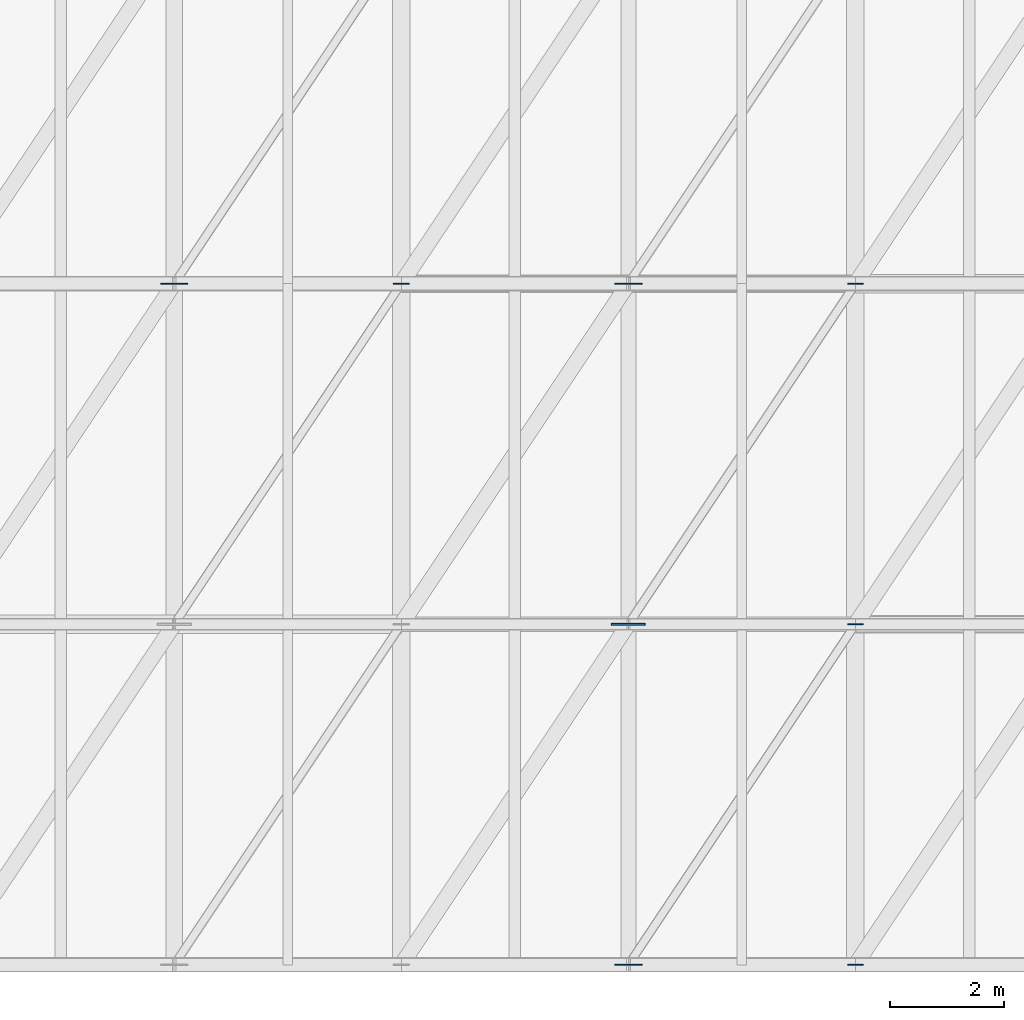
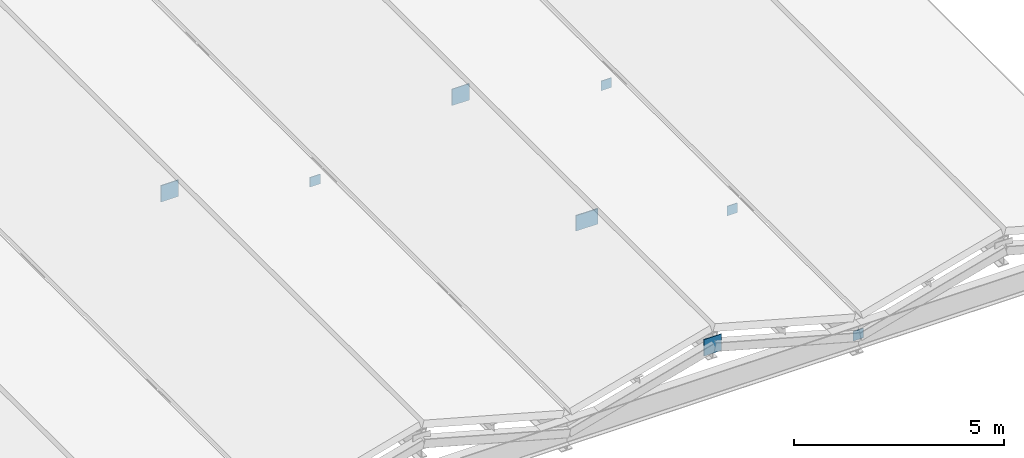
# One storey, part 20 of 27: 8 plates.
"""IFC4 building model written with IfcOpenShell, lengths in metres."""

from ifc_helpers import new_model, si_unit, direction, frame, origin, origin_2d, place, context, subcontext, project, spatial, rectangle, extrude, material, layer, layer_set, type_object, element, save


model = new_model("IFC4")

# Units and contexts
model_context = context("Model", 3, precision=1e-05, world=origin(), true_north=direction((0.0, 1.0)))
body_context = subcontext(model_context, "Body", "Model", "MODEL_VIEW")
ifc_project = project(units=[si_unit("LENGTHUNIT", "METRE"), si_unit("AREAUNIT", "SQUARE_METRE"), si_unit("VOLUMEUNIT", "CUBIC_METRE"), si_unit("PLANEANGLEUNIT", "RADIAN"), si_unit("MASSUNIT", "GRAM", prefix="KILO")], contexts=[model_context])

# Site, building, storey
site_placement = place(None, origin())
site = spatial("IfcSite", under=ifc_project, at=site_placement, CompositionType="ELEMENT")
building_placement = place(site_placement, origin())
building = spatial("IfcBuilding", under=site, at=building_placement, Name="Verrall Gate Interchange", CompositionType="ELEMENT")
storey_placement = place(building_placement, frame((0.0, 0.0, 32.800048828125)))
storey = spatial("IfcBuildingStorey", under=building, at=storey_placement, Name="RF", CompositionType="ELEMENT", Elevation=32.800048828125)

# Plates
ifc_material_1 = material(Name="Structural Steel CSA G40.21 350WT Cat 4", Category="steel")
ifc_layer_1 = layer(ifc_material_1, 0.02001953125)
ifc_layer_set_1 = layer_set([ifc_layer_1], Name="Structural Steel CSA G40.21 350WT Cat 4")
plate_type_1 = type_object("IfcPlateType", Name="GP-01 Gusset Plate 20", PredefinedType="SHEET", material=ifc_layer_set_1)
for number, where, z_axis, x_axis, name in (
    (1, (88.0, 24.0, -15.9482421875), (0.0, 0.0, 1.0), (1.0, 0.0, 0.0), "Folded-Plate Ridge Gusset Node KN-R7-2"),
    (2, (96.0, 12.0, -15.9482421875), (0.0, 0.0, 1.0), (1.0, 0.0, 0.0), "Folded-Plate Ridge Gusset Node KN-R8-0"),
    (3, (96.0, 24.0, -15.9482421875), (0.0, 0.0, 1.0), (1.0, 0.0, 0.0), "Folded-Plate Ridge Gusset Node KN-R8-2"),
):
    element("IfcPlate", number, at=place(storey_placement, frame(where, z_axis=z_axis, x_axis=x_axis)), inside=storey, type_object=plate_type_1, Name=name, PredefinedType="SHEET", context=body_context, shape_type="SweptSolid", body=[
        extrude(rectangle(XDim=0.47998046875, YDim=0.02001953125, at=origin_2d()), origin(), (0.0, 0.0, 1.0), 0.47998046875),
    ])
for number, where, z_axis, x_axis, name in (
    (4, (92.0, 24.0, -16.9482421875), (0.0, 0.0, 1.0), (1.0, 0.0, 0.0), "Folded-Plate Valley Gusset Node KN-V8-0-2"),
    (5, (100.0, 12.0, -16.9482421875), (0.0, 0.0, 1.0), (1.0, 0.0, 0.0), "Folded-Plate Valley Gusset Node KN-V9-0-0"),
    (6, (100.0, 18.0, -16.9482421875), (0.0, 0.0, 1.0), (1.0, 0.0, 0.0), "Folded-Plate Valley Gusset Node KN-V9-0-1"),
    (7, (100.0, 24.0, -16.9482421875), (0.0, 0.0, 1.0), (1.0, 0.0, 0.0), "Folded-Plate Valley Gusset Node KN-V9-0-2"),
):
    element("IfcPlate", number, at=place(storey_placement, frame(where, z_axis=z_axis, x_axis=x_axis)), inside=storey, type_object=plate_type_1, Name=name, PredefinedType="SHEET", context=body_context, shape_type="SweptSolid", body=[
        extrude(rectangle(XDim=0.280029296875, YDim=0.02001953125, at=origin_2d()), origin(), (0.0, 0.0, 1.0), 0.280029296875),
    ])
ifc_material_2 = material(Name="Structural Steel CSA G40.21 350WT Cat 4", Category="steel")
ifc_layer_2 = layer(ifc_material_2, 0.030029296875)
ifc_layer_set_2 = layer_set([ifc_layer_2], Name="Structural Steel CSA G40.21 350WT Cat 4")
plate_type_2 = type_object("IfcPlateType", Name="GP-02 Gusset Plate 30", PredefinedType="SHEET", material=ifc_layer_set_2)
plate_placement = place(storey_placement, frame((96.0, 18.0, -15.93310546875), z_axis=(0.0, 0.0, 1.0), x_axis=(1.0, 0.0, 0.0)))
element("IfcPlate", 8, at=plate_placement, inside=storey, type_object=plate_type_2, Name="Folded-Plate Ridge Gusset Node KN-R8-1", PredefinedType="SHEET", context=body_context, shape_type="SweptSolid", body=[
    extrude(rectangle(XDim=0.60009765625, YDim=0.030029296875, at=origin_2d()), origin(), (0.0, 0.0, 1.0), 0.449951171875),
])

save(model, "model.ifc")
